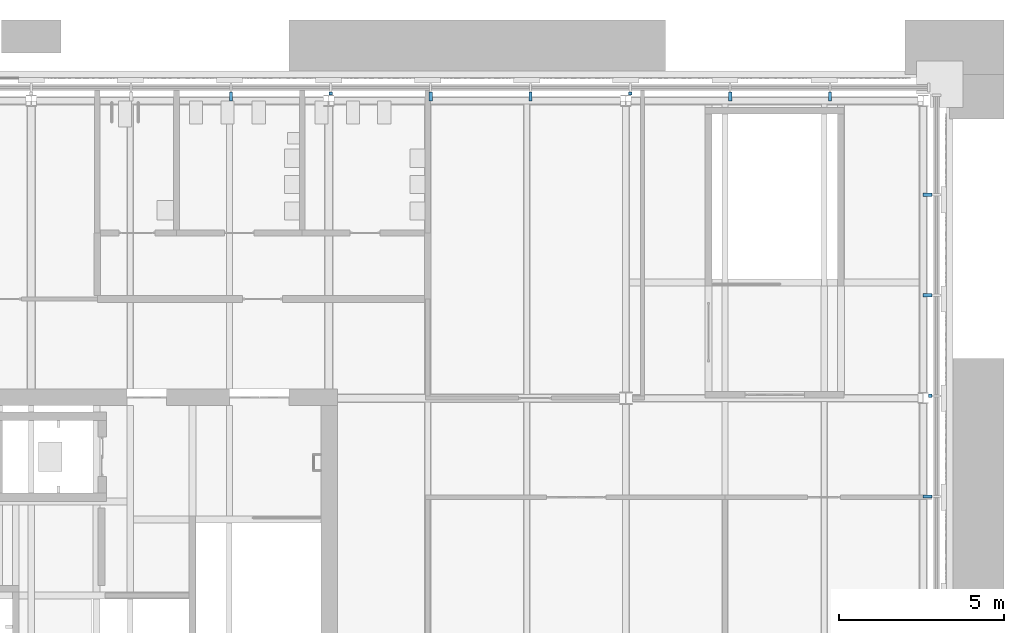
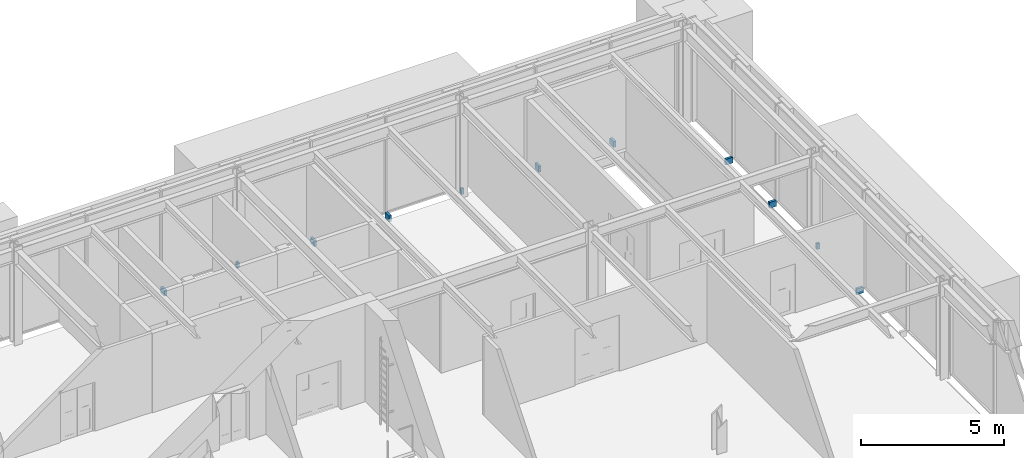
# One storey, part 20 of 24: 11 discrete accessories.
"""IFC4 building model written with IfcOpenShell, lengths in metres."""

from ifc_helpers import new_model, si_unit, direction, frame, origin, origin_2d, place, context, subcontext, project, spatial, rectangle, extrude, material, type_object, element, save


model = new_model("IFC4")

# Units and contexts
model_context = context("Model", 3, precision=1e-05, world=origin(), true_north=direction((0.0, 1.0)))
body_context = subcontext(model_context, "Body", "Model", "MODEL_VIEW")
ifc_project = project(units=[si_unit("LENGTHUNIT", "METRE"), si_unit("AREAUNIT", "SQUARE_METRE"), si_unit("VOLUMEUNIT", "CUBIC_METRE"), si_unit("PLANEANGLEUNIT", "RADIAN"), si_unit("MASSUNIT", "GRAM", prefix="KILO")], contexts=[model_context])

# Site, building, storey
site_placement = place(None, origin())
site = spatial("IfcSite", under=ifc_project, at=site_placement, CompositionType="ELEMENT")
building_placement = place(site_placement, origin())
building = spatial("IfcBuilding", under=site, at=building_placement, Name="Baradari Gate Terminus", CompositionType="ELEMENT")
storey_placement = place(building_placement, frame((0.0, 0.0, 32.699951171875)))
storey = spatial("IfcBuildingStorey", under=building, at=storey_placement, Name="L07", CompositionType="ELEMENT", Elevation=32.699951171875)

# Discrete accessories
ifc_material = material(Name="Aluminium 6063-T6", Category="aluminium")
discrete_accessory_type = type_object("IfcDiscreteAccessoryType", Name="Curtain wall bracket BK-1 100x250", PredefinedType="BRACKET", material=ifc_material)
discrete_accessory_1_placement = place(storey_placement, frame((63.135009765625, 132.022216796875, -0.1298828125), z_axis=(0.0, 0.0, 1.0), x_axis=(1.0, 0.0, 0.0)))
element("IfcDiscreteAccessory", 1, at=discrete_accessory_1_placement, inside=storey, type_object=discrete_accessory_type, Name="Curtain wall bracket L07/TE mullion 6", PredefinedType="BRACKET", context=body_context, shape_type="SweptSolid", body=[
    extrude(rectangle(XDim=0.27001953125, YDim=0.10009765625, at=origin_2d()), origin(), (0.0, 0.0, 1.0), 0.25),
])
discrete_accessory_2_placement = place(storey_placement, frame((63.213623046875, 135.066650390625, -0.099853515625), z_axis=(0.0, 0.0, 1.0), x_axis=(1.0, 0.0, 0.0)))
element("IfcDiscreteAccessory", 2, at=discrete_accessory_2_placement, inside=storey, type_object=discrete_accessory_type, Name="Curtain wall bracket L07/TE mullion 7", PredefinedType="BRACKET", context=body_context, shape_type="SweptSolid", body=[
    extrude(rectangle(XDim=0.11279296875, YDim=0.10009765625, at=origin_2d()), origin(), (0.0, 0.0, 1.0), 0.25),
])
for number, where, z_axis, x_axis, name in (
    (3, (63.135009765625, 138.111083984375, -0.1298828125), (0.0, 0.0, 1.0), (1.0, 0.0, 0.0), "Curtain wall bracket L07/TE mullion 8"),
    (4, (63.135009765625, 141.155517578125, -0.1298828125), (0.0, 0.0, 1.0), (1.0, 0.0, 0.0), "Curtain wall bracket L07/TE mullion 9"),
    (5, (60.177734375, 144.135009765625, -0.1298828125), (0.0, 0.0, 1.0), (0.0, 1.0, 0.0), "Curtain wall bracket L07/TN mullion 2"),
    (6, (57.155517578125, 144.135009765625, -0.1298828125), (0.0, 0.0, 1.0), (0.0, 1.0, 0.0), "Curtain wall bracket L07/TN mullion 3"),
):
    element("IfcDiscreteAccessory", number, at=place(storey_placement, frame(where, z_axis=z_axis, x_axis=x_axis)), inside=storey, type_object=discrete_accessory_type, Name=name, PredefinedType="BRACKET", context=body_context, shape_type="SweptSolid", body=[
        extrude(rectangle(XDim=0.27001953125, YDim=0.10009765625, at=origin_2d()), origin(), (0.0, 0.0, 1.0), 0.25),
    ])
discrete_accessory_3_placement = place(storey_placement, frame((54.13330078125, 144.219970703125, -0.1298828125), z_axis=(0.0, 0.0, 1.0), x_axis=(0.0, 1.0, 0.0)))
element("IfcDiscreteAccessory", 7, at=discrete_accessory_3_placement, inside=storey, type_object=discrete_accessory_type, Name="Curtain wall bracket L07/TN mullion 4", PredefinedType="BRACKET", context=body_context, shape_type="SweptSolid", body=[
    extrude(rectangle(XDim=0.10009765625, YDim=0.10009765625, at=origin_2d()), origin(), (0.0, 0.0, 1.0), 0.25),
])
for number, where, z_axis, x_axis, name in (
    (8, (51.111083984375, 144.135009765625, -0.1298828125), (0.0, 0.0, 1.0), (0.0, 1.0, 0.0), "Curtain wall bracket L07/TN mullion 5"),
    (9, (48.0888671875, 144.135009765625, -0.1298828125), (0.0, 0.0, 1.0), (0.0, 1.0, 0.0), "Curtain wall bracket L07/TN mullion 6"),
):
    element("IfcDiscreteAccessory", number, at=place(storey_placement, frame(where, z_axis=z_axis, x_axis=x_axis)), inside=storey, type_object=discrete_accessory_type, Name=name, PredefinedType="BRACKET", context=body_context, shape_type="SweptSolid", body=[
        extrude(rectangle(XDim=0.27001953125, YDim=0.10009765625, at=origin_2d()), origin(), (0.0, 0.0, 1.0), 0.25),
    ])
discrete_accessory_4_placement = place(storey_placement, frame((45.066650390625, 144.219970703125, -0.099853515625), z_axis=(0.0, 0.0, 1.0), x_axis=(0.0, 1.0, 0.0)))
element("IfcDiscreteAccessory", 10, at=discrete_accessory_4_placement, inside=storey, type_object=discrete_accessory_type, Name="Curtain wall bracket L07/TN mullion 7", PredefinedType="BRACKET", context=body_context, shape_type="SweptSolid", body=[
    extrude(rectangle(XDim=0.10009765625, YDim=0.10009765625, at=origin_2d()), origin(), (0.0, 0.0, 1.0), 0.25),
])
discrete_accessory_5_placement = place(storey_placement, frame((42.04443359375, 144.135009765625, -0.1298828125), z_axis=(0.0, 0.0, 1.0), x_axis=(0.0, 1.0, 0.0)))
element("IfcDiscreteAccessory", 11, at=discrete_accessory_5_placement, inside=storey, type_object=discrete_accessory_type, Name="Curtain wall bracket L07/TN mullion 8", PredefinedType="BRACKET", context=body_context, shape_type="SweptSolid", body=[
    extrude(rectangle(XDim=0.27001953125, YDim=0.10009765625, at=origin_2d()), origin(), (0.0, 0.0, 1.0), 0.25),
])

save(model, "model.ifc")
